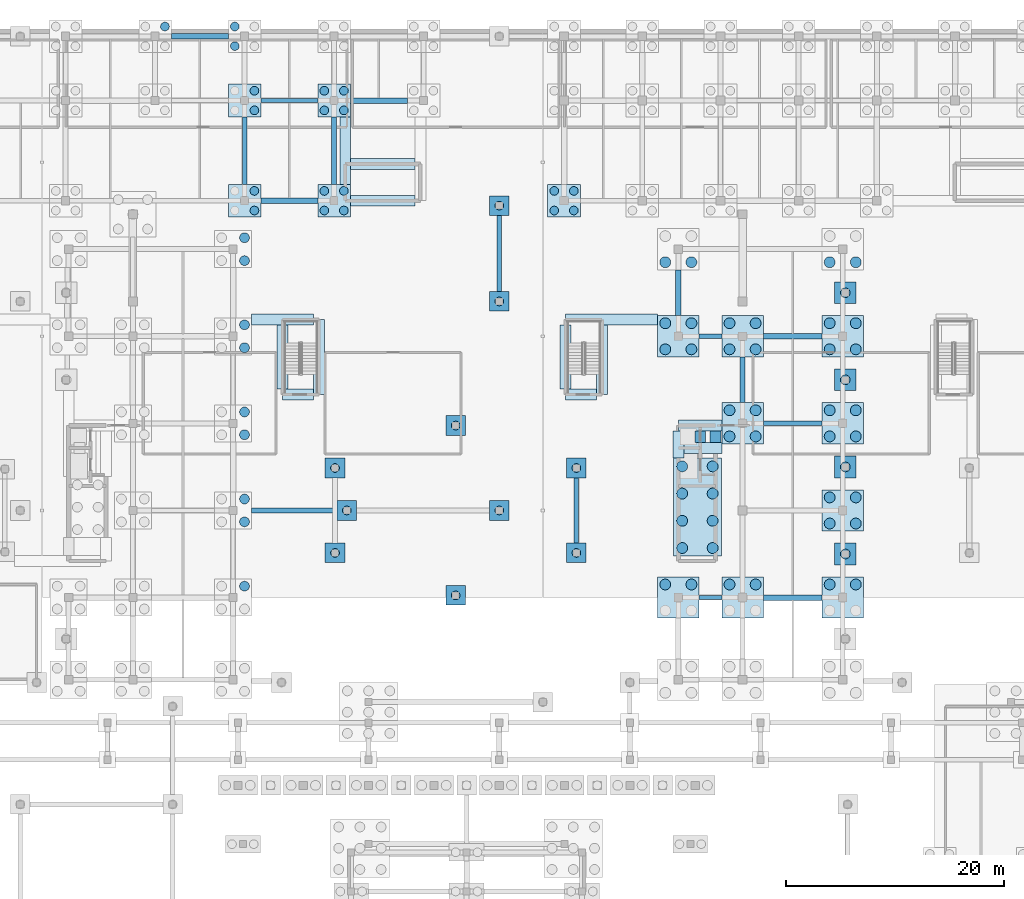
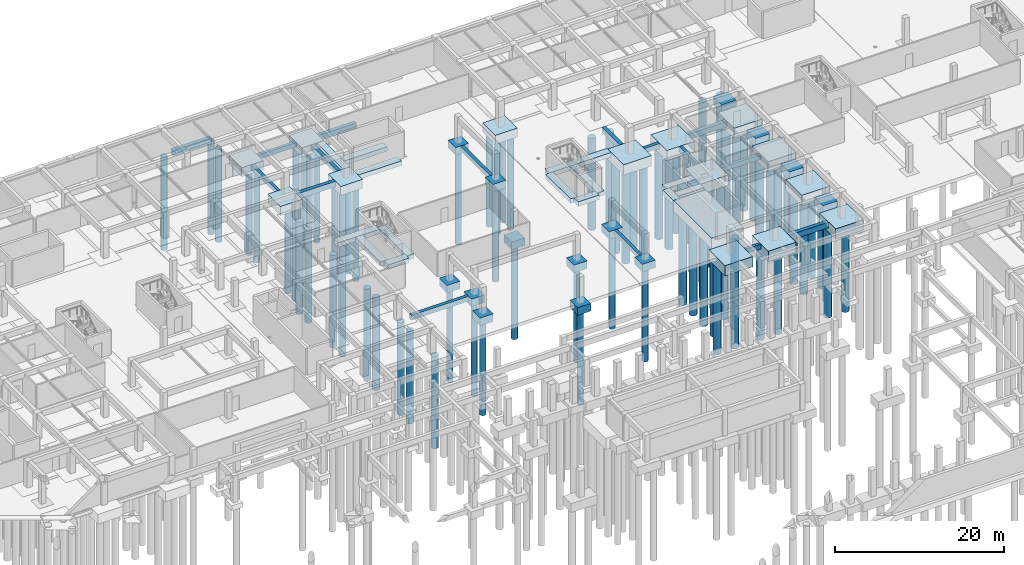
# One storey, part 7 of 35: 84 piles, 61 footings.
"""IFC4 building model written with IfcOpenShell, lengths in metres."""

from ifc_helpers import new_model, si_unit, direction, frame, origin, origin_2d, place, context, subcontext, project, spatial, rectangle, circle, extrude, material, material_profile, profile_set, type_object, element, save


model = new_model("IFC4")

# Units and contexts
model_context = context("Model", 3, precision=1e-05, world=origin(), true_north=direction((0.0, 1.0)))
body_context = subcontext(model_context, "Body", "Model", "MODEL_VIEW")
ifc_project = project(units=[si_unit("LENGTHUNIT", "METRE"), si_unit("AREAUNIT", "SQUARE_METRE"), si_unit("VOLUMEUNIT", "CUBIC_METRE"), si_unit("PLANEANGLEUNIT", "RADIAN"), si_unit("MASSUNIT", "GRAM", prefix="KILO")], contexts=[model_context])

# Site, building, storey
site_placement = place(None, origin())
site = spatial("IfcSite", under=ifc_project, at=site_placement, CompositionType="ELEMENT")
building_placement = place(site_placement, origin())
building = spatial("IfcBuilding", under=site, at=building_placement, Name="Keldmere Railside Commons", CompositionType="ELEMENT")
storey_placement = place(building_placement, frame((0.0, 0.0, -3.840087890625)))
storey = spatial("IfcBuildingStorey", under=building, at=storey_placement, Name="B1", CompositionType="ELEMENT", Elevation=-3.840087890625)

# Piles
ifc_material_1 = material(Name="Concrete H-30 (C30/37)", Category="concrete")
ifc_material_profile_1 = material_profile(ifc_material_1, circle(Radius=0.5, at=origin_2d()), Name="PILE-D1000")
ifc_profile_set_1 = profile_set([ifc_material_profile_1], Name="Concrete H-30 (C30/37)")
pile_type_1 = type_object("IfcPileType", Name="Bored Concrete Pile D1000", PredefinedType="BORED", material=ifc_profile_set_1)
for number, where, z_axis, x_axis, name in (
    (1, (107.60009765625, 68.550048828125, -1.5), (0.0, 0.0, -1.0), (1.0, 0.0, 0.0), "BP-1000 PILE-0013"),
    (2, (107.60009765625, 71.050048828125, -1.5), (0.0, 0.0, -1.0), (1.0, 0.0, 0.0), "BP-1000 PILE-0014"),
    (3, (107.60009765625, 73.550048828125, -1.5), (0.0, 0.0, -1.0), (1.0, 0.0, 0.0), "BP-1000 PILE-0015"),
    (4, (107.60009765625, 76.050048828125, -1.5), (0.0, 0.0, -1.0), (1.0, 0.0, 0.0), "BP-1000 PILE-0016"),
    (5, (104.800048828125, 68.550048828125, -1.5), (0.0, 0.0, -1.0), (1.0, 0.0, 0.0), "BP-1000 PILE-0017"),
    (6, (104.800048828125, 71.050048828125, -1.5), (0.0, 0.0, -1.0), (1.0, 0.0, 0.0), "BP-1000 PILE-0018"),
    (7, (104.800048828125, 73.550048828125, -1.5), (0.0, 0.0, -1.0), (1.0, 0.0, 0.0), "BP-1000 PILE-0019"),
    (8, (104.800048828125, 76.050048828125, -1.5), (0.0, 0.0, -1.0), (1.0, 0.0, 0.0), "BP-1000 PILE-0020"),
):
    element("IfcPile", number, at=place(storey_placement, frame(where, z_axis=z_axis, x_axis=x_axis)), inside=storey, type_object=pile_type_1, Name=name, PredefinedType="BORED", context=body_context, shape_type="SweptSolid", body=[
        extrude(circle(Radius=0.5, at=origin_2d()), origin(), (0.0, 0.0, 1.0), 13.159912109375),
    ])
for number, where, z_axis, x_axis, name in (
    (9, (105.64990234375, 65.199951171875, -1.39990234375), (0.0, 0.0, -1.0), (1.0, 0.0, 0.0), "BP-1000 PILE-0483"),
    (10, (103.25, 65.199951171875, -1.39990234375), (0.0, 0.0, -1.0), (1.0, 0.0, 0.0), "BP-1000 PILE-0484"),
    (11, (103.25, 86.800048828125, -1.39990234375), (0.0, 0.0, -1.0), (1.0, 0.0, 0.0), "BP-1000 PILE-0485"),
    (12, (105.64990234375, 86.800048828125, -1.39990234375), (0.0, 0.0, -1.0), (1.0, 0.0, 0.0), "BP-1000 PILE-0486"),
    (13, (105.64990234375, 89.199951171875, -1.39990234375), (0.0, 0.0, -1.0), (1.0, 0.0, 0.0), "BP-1000 PILE-0487"),
    (14, (103.25, 89.199951171875, -1.39990234375), (0.0, 0.0, -1.0), (1.0, 0.0, 0.0), "BP-1000 PILE-0488"),
    (15, (103.25, 94.800048828125, -1.39990234375), (0.0, 0.0, -1.0), (1.0, 0.0, 0.0), "BP-1000 PILE-0489"),
    (16, (105.64990234375, 94.800048828125, -1.39990234375), (0.0, 0.0, -1.0), (1.0, 0.0, 0.0), "BP-1000 PILE-0490"),
    (17, (111.550048828125, 65.199951171875, -1.39990234375), (0.0, 0.0, -1.0), (1.0, 0.0, 0.0), "BP-1000 PILE-0519"),
    (18, (109.14990234375, 65.199951171875, -1.39990234375), (0.0, 0.0, -1.0), (1.0, 0.0, 0.0), "BP-1000 PILE-0520"),
    (19, (109.14990234375, 78.800048828125, -1.39990234375), (0.0, 0.0, -1.0), (1.0, 0.0, 0.0), "BP-1000 PILE-0521"),
    (20, (111.550048828125, 78.800048828125, -1.39990234375), (0.0, 0.0, -1.0), (1.0, 0.0, 0.0), "BP-1000 PILE-0522"),
    (21, (111.550048828125, 81.199951171875, -1.39990234375), (0.0, 0.0, -1.0), (1.0, 0.0, 0.0), "BP-1000 PILE-0523"),
    (22, (109.14990234375, 81.199951171875, -1.39990234375), (0.0, 0.0, -1.0), (1.0, 0.0, 0.0), "BP-1000 PILE-0524"),
    (23, (109.14990234375, 86.800048828125, -1.39990234375), (0.0, 0.0, -1.0), (1.0, 0.0, 0.0), "BP-1000 PILE-0525"),
    (24, (111.550048828125, 86.800048828125, -1.39990234375), (0.0, 0.0, -1.0), (1.0, 0.0, 0.0), "BP-1000 PILE-0526"),
    (25, (111.550048828125, 89.199951171875, -1.39990234375), (0.0, 0.0, -1.0), (1.0, 0.0, 0.0), "BP-1000 PILE-0527"),
    (26, (109.14990234375, 89.199951171875, -1.39990234375), (0.0, 0.0, -1.0), (1.0, 0.0, 0.0), "BP-1000 PILE-0528"),
    (27, (120.75, 65.199951171875, -1.39990234375), (0.0, 0.0, -1.0), (1.0, 0.0, 0.0), "BP-1000 PILE-0550"),
    (28, (118.35009765625, 65.199951171875, -1.39990234375), (0.0, 0.0, -1.0), (1.0, 0.0, 0.0), "BP-1000 PILE-0551"),
    (29, (118.35009765625, 70.800048828125, -1.39990234375), (0.0, 0.0, -1.0), (1.0, 0.0, 0.0), "BP-1000 PILE-0552"),
    (30, (120.75, 70.800048828125, -1.39990234375), (0.0, 0.0, -1.0), (1.0, 0.0, 0.0), "BP-1000 PILE-0553"),
    (31, (120.75, 73.199951171875, -1.39990234375), (0.0, 0.0, -1.0), (1.0, 0.0, 0.0), "BP-1000 PILE-0554"),
    (32, (118.35009765625, 73.199951171875, -1.39990234375), (0.0, 0.0, -1.0), (1.0, 0.0, 0.0), "BP-1000 PILE-0555"),
    (33, (118.35009765625, 78.800048828125, -1.39990234375), (0.0, 0.0, -1.0), (1.0, 0.0, 0.0), "BP-1000 PILE-0556"),
    (34, (120.75, 78.800048828125, -1.39990234375), (0.0, 0.0, -1.0), (1.0, 0.0, 0.0), "BP-1000 PILE-0557"),
    (35, (120.75, 81.199951171875, -1.39990234375), (0.0, 0.0, -1.0), (1.0, 0.0, 0.0), "BP-1000 PILE-0558"),
    (36, (118.35009765625, 81.199951171875, -1.39990234375), (0.0, 0.0, -1.0), (1.0, 0.0, 0.0), "BP-1000 PILE-0559"),
    (37, (118.35009765625, 86.800048828125, -1.39990234375), (0.0, 0.0, -1.0), (1.0, 0.0, 0.0), "BP-1000 PILE-0560"),
    (38, (120.75, 86.800048828125, -1.39990234375), (0.0, 0.0, -1.0), (1.0, 0.0, 0.0), "BP-1000 PILE-0561"),
    (39, (120.75, 89.199951171875, -1.39990234375), (0.0, 0.0, -1.0), (1.0, 0.0, 0.0), "BP-1000 PILE-0562"),
    (40, (118.35009765625, 89.199951171875, -1.39990234375), (0.0, 0.0, -1.0), (1.0, 0.0, 0.0), "BP-1000 PILE-0563"),
    (41, (118.35009765625, 94.800048828125, -1.39990234375), (0.0, 0.0, -1.0), (1.0, 0.0, 0.0), "BP-1000 PILE-0564"),
    (42, (120.75, 94.800048828125, -1.39990234375), (0.0, 0.0, -1.0), (1.0, 0.0, 0.0), "BP-1000 PILE-0565"),
):
    element("IfcPile", number, at=place(storey_placement, frame(where, z_axis=z_axis, x_axis=x_axis)), inside=storey, type_object=pile_type_1, Name=name, PredefinedType="BORED", context=body_context, shape_type="SweptSolid", body=[
        extrude(circle(Radius=0.5, at=origin_2d()), origin(), (0.0, 0.0, 1.0), 13.260009765625),
    ])
ifc_material_profile_2 = material_profile(ifc_material_1, circle(Radius=0.39990234375, at=origin_2d()), Name="PILE-D800")
ifc_profile_set_2 = profile_set([ifc_material_profile_2], Name="Concrete H-30 (C30/37)")
pile_type_2 = type_object("IfcPileType", Name="Bored Concrete Pile D800", PredefinedType="BORED", material=ifc_profile_set_2)
for number, where, z_axis, x_axis, name in (
    (43, (57.2900390625, 116.449951171875, -1.199951171875), (0.0, 0.0, -1.0), (1.0, 0.0, 0.0), "BP-800 PILE-0289"),
    (44, (65.510009765625, 99.550048828125, -1.199951171875), (0.0, 0.0, -1.0), (1.0, 0.0, 0.0), "BP-800 PILE-0329"),
    (45, (65.510009765625, 101.35009765625, -1.199951171875), (0.0, 0.0, -1.0), (1.0, 0.0, 0.0), "BP-800 PILE-0330"),
    (46, (65.510009765625, 108.75, -1.199951171875), (0.0, 0.0, -1.0), (1.0, 0.0, 0.0), "BP-800 PILE-0333"),
    (47, (65.510009765625, 110.550048828125, -1.199951171875), (0.0, 0.0, -1.0), (1.0, 0.0, 0.0), "BP-800 PILE-0334"),
    (48, (63.7099609375, 114.64990234375, -1.199951171875), (0.0, 0.0, -1.0), (1.0, 0.0, 0.0), "BP-800 PILE-0336"),
    (49, (63.7099609375, 116.449951171875, -1.199951171875), (0.0, 0.0, -1.0), (1.0, 0.0, 0.0), "BP-800 PILE-0339"),
    (50, (71.929931640625, 99.550048828125, -1.199951171875), (0.0, 0.0, -1.0), (1.0, 0.0, 0.0), "BP-800 PILE-0347"),
    (51, (73.72998046875, 99.550048828125, -1.199951171875), (0.0, 0.0, -1.0), (1.0, 0.0, 0.0), "BP-800 PILE-0348"),
    (52, (73.72998046875, 101.35009765625, -1.199951171875), (0.0, 0.0, -1.0), (1.0, 0.0, 0.0), "BP-800 PILE-0349"),
    (53, (71.929931640625, 101.35009765625, -1.199951171875), (0.0, 0.0, -1.0), (1.0, 0.0, 0.0), "BP-800 PILE-0350"),
    (54, (71.929931640625, 108.75, -1.199951171875), (0.0, 0.0, -1.0), (1.0, 0.0, 0.0), "BP-800 PILE-0351"),
    (55, (73.72998046875, 108.75, -1.199951171875), (0.0, 0.0, -1.0), (1.0, 0.0, 0.0), "BP-800 PILE-0352"),
    (56, (73.72998046875, 110.550048828125, -1.199951171875), (0.0, 0.0, -1.0), (1.0, 0.0, 0.0), "BP-800 PILE-0353"),
    (57, (71.929931640625, 110.550048828125, -1.199951171875), (0.0, 0.0, -1.0), (1.0, 0.0, 0.0), "BP-800 PILE-0354"),
):
    element("IfcPile", number, at=place(storey_placement, frame(where, z_axis=z_axis, x_axis=x_axis)), inside=storey, type_object=pile_type_2, Name=name, PredefinedType="BORED", context=body_context, shape_type="SweptSolid", body=[
        extrude(circle(Radius=0.39990234375, at=origin_2d()), origin(), (0.0, 0.0, 1.0), 13.4599609375),
    ])
for number, where, z_axis, x_axis, name in (
    (58, (72.9150390625, 68.10009765625, -1.0), (0.0, 0.0, -1.0), (1.0, 0.0, 0.0), "BP-800 PILE-0359"),
    (59, (72.9150390625, 75.89990234375, -1.0), (0.0, 0.0, -1.0), (1.0, 0.0, 0.0), "BP-800 PILE-0360"),
    (60, (74.0, 72.0, -1.0), (0.0, 0.0, -1.0), (1.0, 0.0, 0.0), "BP-800 PILE-0363"),
    (61, (84.0, 64.199951171875, -1.0), (0.0, 0.0, -1.0), (1.0, 0.0, 0.0), "BP-800 PILE-0404"),
    (62, (84.0, 79.800048828125, -1.0), (0.0, 0.0, -1.0), (1.0, 0.0, 0.0), "BP-800 PILE-0405"),
    (63, (88.0, 72.0, -1.0), (0.0, 0.0, -1.0), (1.0, 0.0, 0.0), "BP-800 PILE-0418"),
    (64, (88.0, 91.199951171875, -1.0), (0.0, 0.0, -1.0), (1.0, 0.0, 0.0), "BP-800 PILE-0419"),
    (65, (88.0, 100.0, -1.0), (0.0, 0.0, -1.0), (1.0, 0.0, 0.0), "BP-800 PILE-0420"),
):
    element("IfcPile", number, at=place(storey_placement, frame(where, z_axis=z_axis, x_axis=x_axis)), inside=storey, type_object=pile_type_2, Name=name, PredefinedType="BORED", context=body_context, shape_type="SweptSolid", body=[
        extrude(circle(Radius=0.39990234375, at=origin_2d()), origin(), (0.0, 0.0, 1.0), 13.659912109375),
    ])
for number, where, z_axis, x_axis, name in (
    (66, (93.050048828125, 99.550048828125, -1.199951171875), (0.0, 0.0, -1.0), (1.0, 0.0, 0.0), "BP-800 PILE-0425"),
    (67, (94.85009765625, 99.550048828125, -1.199951171875), (0.0, 0.0, -1.0), (1.0, 0.0, 0.0), "BP-800 PILE-0426"),
    (68, (94.85009765625, 101.35009765625, -1.199951171875), (0.0, 0.0, -1.0), (1.0, 0.0, 0.0), "BP-800 PILE-0427"),
    (69, (93.050048828125, 101.35009765625, -1.199951171875), (0.0, 0.0, -1.0), (1.0, 0.0, 0.0), "BP-800 PILE-0428"),
):
    element("IfcPile", number, at=place(storey_placement, frame(where, z_axis=z_axis, x_axis=x_axis)), inside=storey, type_object=pile_type_2, Name=name, PredefinedType="BORED", context=body_context, shape_type="SweptSolid", body=[
        extrude(circle(Radius=0.39990234375, at=origin_2d()), origin(), (0.0, 0.0, 1.0), 13.4599609375),
    ])
for number, where, z_axis, x_axis, name in (
    (70, (95.0849609375, 68.10009765625, -1.0), (0.0, 0.0, -1.0), (1.0, 0.0, 0.0), "BP-800 PILE-0450"),
    (71, (95.0849609375, 75.89990234375, -1.0), (0.0, 0.0, -1.0), (1.0, 0.0, 0.0), "BP-800 PILE-0451"),
):
    element("IfcPile", number, at=place(storey_placement, frame(where, z_axis=z_axis, x_axis=x_axis)), inside=storey, type_object=pile_type_2, Name=name, PredefinedType="BORED", context=body_context, shape_type="SweptSolid", body=[
        extrude(circle(Radius=0.39990234375, at=origin_2d()), origin(), (0.0, 0.0, 1.0), 13.659912109375),
    ])
ifc_material_profile_3 = material_profile(ifc_material_1, circle(Radius=0.449951171875, at=origin_2d()), Name="PILE-D900")
ifc_profile_set_3 = profile_set([ifc_material_profile_3], Name="Concrete H-30 (C30/37)")
pile_type_3 = type_object("IfcPileType", Name="Bored Concrete Pile D900", PredefinedType="BORED", material=ifc_profile_set_3)
for number, where, z_axis, x_axis, name in (
    (72, (64.60009765625, 65.050048828125, -1.2998046875), (0.0, 0.0, -1.0), (1.0, 0.0, 0.0), "BP-900 PILE-0302"),
    (73, (64.60009765625, 70.949951171875, -1.2998046875), (0.0, 0.0, -1.0), (1.0, 0.0, 0.0), "BP-900 PILE-0305"),
    (74, (64.60009765625, 73.050048828125, -1.2998046875), (0.0, 0.0, -1.0), (1.0, 0.0, 0.0), "BP-900 PILE-0306"),
    (75, (64.60009765625, 78.949951171875, -1.2998046875), (0.0, 0.0, -1.0), (1.0, 0.0, 0.0), "BP-900 PILE-0309"),
    (76, (64.60009765625, 81.050048828125, -1.2998046875), (0.0, 0.0, -1.0), (1.0, 0.0, 0.0), "BP-900 PILE-0310"),
    (77, (64.60009765625, 86.949951171875, -1.2998046875), (0.0, 0.0, -1.0), (1.0, 0.0, 0.0), "BP-900 PILE-0313"),
    (78, (64.60009765625, 89.050048828125, -1.2998046875), (0.0, 0.0, -1.0), (1.0, 0.0, 0.0), "BP-900 PILE-0314"),
    (79, (64.60009765625, 94.949951171875, -1.2998046875), (0.0, 0.0, -1.0), (1.0, 0.0, 0.0), "BP-900 PILE-0317"),
    (80, (64.60009765625, 97.050048828125, -1.2998046875), (0.0, 0.0, -1.0), (1.0, 0.0, 0.0), "BP-900 PILE-0318"),
):
    element("IfcPile", number, at=place(storey_placement, frame(where, z_axis=z_axis, x_axis=x_axis)), inside=storey, type_object=pile_type_3, Name=name, PredefinedType="BORED", context=body_context, shape_type="SweptSolid", body=[
        extrude(circle(Radius=0.449951171875, at=origin_2d()), origin(), (0.0, 0.0, 1.0), 13.360107421875),
    ])
for number, where, z_axis, x_axis, name in (
    (81, (119.780029296875, 68.0, -1.099853515625), (0.0, 0.0, -1.0), (1.0, 0.0, 0.0), "BP-900 PILE-0569"),
    (82, (119.780029296875, 76.0, -1.099853515625), (0.0, 0.0, -1.0), (1.0, 0.0, 0.0), "BP-900 PILE-0570"),
    (83, (119.780029296875, 84.0, -1.099853515625), (0.0, 0.0, -1.0), (1.0, 0.0, 0.0), "BP-900 PILE-0571"),
    (84, (119.780029296875, 92.0, -1.099853515625), (0.0, 0.0, -1.0), (1.0, 0.0, 0.0), "BP-900 PILE-0572"),
):
    element("IfcPile", number, at=place(storey_placement, frame(where, z_axis=z_axis, x_axis=x_axis)), inside=storey, type_object=pile_type_3, Name=name, PredefinedType="BORED", context=body_context, shape_type="SweptSolid", body=[
        extrude(circle(Radius=0.449951171875, at=origin_2d()), origin(), (0.0, 0.0, 1.0), 13.56005859375),
    ])

# Footings
ifc_material_2 = material(Name="Concrete H-40 (C40/50)", Category="concrete")
footing_type_1 = type_object("IfcFootingType", Name="Eight-Pile Core Mat Cap 9000x4400x1600", PredefinedType="PILE_CAP", material=ifc_material_2)
footing_1_placement = place(storey_placement, frame((106.199951171875, 72.300048828125, -1.599853515625), z_axis=(0.0, 0.0, 1.0), x_axis=(0.0, 1.0, 0.0)))
element("IfcFooting", 85, at=footing_1_placement, inside=storey, type_object=footing_type_1, Name="PC-13 CAP-CORE-B1", PredefinedType="PILE_CAP", context=body_context, shape_type="SweptSolid", body=[
    extrude(rectangle(XDim=9.0, YDim=4.39990234375, at=origin_2d()), origin(), (0.0, 0.0, 1.0), 1.60009765625),
])
footing_type_2 = type_object("IfcFootingType", Name="Four-Pile Cap 3000x3000x1300", PredefinedType="PILE_CAP", material=ifc_material_2)
for number, where, z_axis, x_axis, name in (
    (86, (64.610107421875, 100.449951171875, -1.2998046875), (0.0, 0.0, 1.0), (1.0, 0.0, 0.0), "PC-04 FTG-134"),
    (87, (64.610107421875, 109.64990234375, -1.2998046875), (0.0, 0.0, 1.0), (1.0, 0.0, 0.0), "PC-04 FTG-135"),
    (88, (72.830078125, 100.449951171875, -1.2998046875), (0.0, 0.0, 1.0), (1.0, 0.0, 0.0), "PC-04 FTG-142"),
    (89, (72.830078125, 109.64990234375, -1.2998046875), (0.0, 0.0, 1.0), (1.0, 0.0, 0.0), "PC-04 FTG-143"),
    (90, (93.949951171875, 100.449951171875, -1.2998046875), (0.0, 0.0, 1.0), (1.0, 0.0, 0.0), "PC-04 FTG-181"),
):
    element("IfcFooting", number, at=place(storey_placement, frame(where, z_axis=z_axis, x_axis=x_axis)), inside=storey, type_object=footing_type_2, Name=name, PredefinedType="PILE_CAP", context=body_context, shape_type="SweptSolid", body=[
        extrude(rectangle(XDim=3.0, YDim=3.0, at=origin_2d()), origin(), (0.0, 0.0, 1.0), 1.300048828125),
    ])
footing_type_3 = type_object("IfcFootingType", Name="Four-Pile D1000 Cap 3800x3800x1500", PredefinedType="PILE_CAP", material=ifc_material_2)
for number, where, z_axis, x_axis, name in (
    (91, (104.449951171875, 64.0, -1.5), (0.0, 0.0, 1.0), (1.0, 0.0, 0.0), "PC-06 FTG-204"),
    (92, (104.449951171875, 88.0, -1.5), (0.0, 0.0, 1.0), (1.0, 0.0, 0.0), "PC-06 FTG-205"),
    (93, (110.35009765625, 64.0, -1.5), (0.0, 0.0, 1.0), (1.0, 0.0, 0.0), "PC-06 FTG-215"),
    (94, (110.35009765625, 80.0, -1.5), (0.0, 0.0, 1.0), (1.0, 0.0, 0.0), "PC-06 FTG-216"),
    (95, (110.35009765625, 88.0, -1.5), (0.0, 0.0, 1.0), (1.0, 0.0, 0.0), "PC-06 FTG-217"),
    (96, (119.550048828125, 64.0, -1.5), (0.0, 0.0, 1.0), (1.0, 0.0, 0.0), "PC-06 FTG-227"),
    (97, (119.550048828125, 72.0, -1.5), (0.0, 0.0, 1.0), (1.0, 0.0, 0.0), "PC-06 FTG-228"),
    (98, (119.550048828125, 80.0, -1.5), (0.0, 0.0, 1.0), (1.0, 0.0, 0.0), "PC-06 FTG-229"),
    (99, (119.550048828125, 88.0, -1.5), (0.0, 0.0, 1.0), (1.0, 0.0, 0.0), "PC-06 FTG-230"),
):
    element("IfcFooting", number, at=place(storey_placement, frame(where, z_axis=z_axis, x_axis=x_axis)), inside=storey, type_object=footing_type_3, Name=name, PredefinedType="PILE_CAP", context=body_context, shape_type="SweptSolid", body=[
        extrude(rectangle(XDim=3.800048828125, YDim=3.800048828125, at=origin_2d()), origin(), (0.0, 0.0, 1.0), 1.5),
    ])
footing_type_4 = type_object("IfcFootingType", Name="Perimeter Ground Tie Beam 400x650", PredefinedType="FOOTING_BEAM", material=ifc_material_2)
footing_2_placement = place(storey_placement, frame((64.610107421875, 105.050048828125, -0.64990234375), z_axis=(0.0, 0.0, 1.0), x_axis=(0.0, 1.0, 0.0)))
element("IfcFooting", 100, at=footing_2_placement, inside=storey, type_object=footing_type_4, Name="GB-03 GB-128", PredefinedType="FOOTING_BEAM", context=body_context, shape_type="SweptSolid", body=[
    extrude(rectangle(XDim=6.199951171875, YDim=0.39990234375, at=origin_2d()), origin(), (0.0, 0.0, 1.0), 0.64990234375),
])
footing_3_placement = place(storey_placement, frame((68.719970703125, 109.64990234375, -0.64990234375), z_axis=(0.0, 0.0, 1.0), x_axis=(1.0, 0.0, 0.0)))
element("IfcFooting", 101, at=footing_3_placement, inside=storey, type_object=footing_type_4, Name="GB-03 GB-131", PredefinedType="FOOTING_BEAM", context=body_context, shape_type="SweptSolid", body=[
    extrude(rectangle(XDim=5.219970703125, YDim=0.39990234375, at=origin_2d()), origin(), (0.0, 0.0, 1.0), 0.64990234375),
])
footing_4_placement = place(storey_placement, frame((95.0849609375, 72.0, -0.64990234375), z_axis=(0.0, 0.0, 1.0), x_axis=(0.0, 1.0, 0.0)))
element("IfcFooting", 102, at=footing_4_placement, inside=storey, type_object=footing_type_4, Name="GB-03 GB-155", PredefinedType="FOOTING_BEAM", context=body_context, shape_type="SweptSolid", body=[
    extrude(rectangle(XDim=6.0, YDim=0.39990234375, at=origin_2d()), origin(), (0.0, 0.0, 1.0), 0.64990234375),
])
footing_5_placement = place(storey_placement, frame((107.39990234375, 64.0, -0.64990234375), z_axis=(0.0, 0.0, 1.0), x_axis=(1.0, 0.0, 0.0)))
element("IfcFooting", 103, at=footing_5_placement, inside=storey, type_object=footing_type_4, Name="GB-03 GB-167", PredefinedType="FOOTING_BEAM", context=body_context, shape_type="SweptSolid", body=[
    extrude(rectangle(XDim=2.10009765625, YDim=0.39990234375, at=origin_2d()), origin(), (0.0, 0.0, 1.0), 0.64990234375),
])
footing_6_placement = place(storey_placement, frame((114.949951171875, 80.0, -0.64990234375), z_axis=(0.0, 0.0, 1.0), x_axis=(1.0, 0.0, 0.0)))
element("IfcFooting", 104, at=footing_6_placement, inside=storey, type_object=footing_type_4, Name="GB-03 GB-179", PredefinedType="FOOTING_BEAM", context=body_context, shape_type="SweptSolid", body=[
    extrude(rectangle(XDim=5.39990234375, YDim=0.39990234375, at=origin_2d()), origin(), (0.0, 0.0, 1.0), 0.64990234375),
])
footing_type_5 = type_object("IfcFootingType", Name="Primary Ground Tie Beam 500x800", PredefinedType="FOOTING_BEAM", material=ifc_material_2)
for number, where, z_axis, x_axis, name in (
    (105, (60.5, 115.550048828125, -0.7998046875), (0.0, 0.0, 1.0), (1.0, 0.0, 0.0), "GB-01 GB-117"),
    (106, (68.719970703125, 100.449951171875, -0.7998046875), (0.0, 0.0, 1.0), (1.0, 0.0, 0.0), "GB-01 GB-129"),
    (107, (76.93994140625, 109.64990234375, -0.7998046875), (0.0, 0.0, 1.0), (1.0, 0.0, 0.0), "GB-01 GB-135"),
):
    element("IfcFooting", number, at=place(storey_placement, frame(where, z_axis=z_axis, x_axis=x_axis)), inside=storey, type_object=footing_type_5, Name=name, PredefinedType="FOOTING_BEAM", context=body_context, shape_type="SweptSolid", body=[
        extrude(rectangle(XDim=5.219970703125, YDim=0.5, at=origin_2d()), origin(), (0.0, 0.0, 1.0), 0.800048828125),
    ])
footing_7_placement = place(storey_placement, frame((104.449951171875, 92.0, -0.7998046875), z_axis=(0.0, 0.0, 1.0), x_axis=(0.0, 1.0, 0.0)))
element("IfcFooting", 108, at=footing_7_placement, inside=storey, type_object=footing_type_5, Name="GB-01 GB-168", PredefinedType="FOOTING_BEAM", context=body_context, shape_type="SweptSolid", body=[
    extrude(rectangle(XDim=4.199951171875, YDim=0.5, at=origin_2d()), origin(), (0.0, 0.0, 1.0), 0.800048828125),
])
for number, where, z_axis, x_axis, name in (
    (109, (114.949951171875, 64.0, -0.7998046875), (0.0, 0.0, 1.0), (1.0, 0.0, 0.0), "GB-01 GB-177"),
    (110, (114.949951171875, 88.0, -0.7998046875), (0.0, 0.0, 1.0), (1.0, 0.0, 0.0), "GB-01 GB-180"),
):
    element("IfcFooting", number, at=place(storey_placement, frame(where, z_axis=z_axis, x_axis=x_axis)), inside=storey, type_object=footing_type_5, Name=name, PredefinedType="FOOTING_BEAM", context=body_context, shape_type="SweptSolid", body=[
        extrude(rectangle(XDim=5.39990234375, YDim=0.5, at=origin_2d()), origin(), (0.0, 0.0, 1.0), 0.800048828125),
    ])
footing_type_6 = type_object("IfcFootingType", Name="Ramp Wall Strip Footing 1000x650", PredefinedType="STRIP_FOOTING", material=ifc_material_2)
footing_8_placement = place(storey_placement, frame((107.8701171875, 78.77490234375, -0.64990234375), z_axis=(0.0, 0.0, 1.0), x_axis=(0.0, 1.0, 0.0)))
element("IfcFooting", 111, at=footing_8_placement, inside=storey, type_object=footing_type_6, Name="SF-02 WSF-037", PredefinedType="STRIP_FOOTING", context=body_context, shape_type="SweptSolid", body=[
    extrude(rectangle(XDim=1.050048828125, YDim=1.0, at=origin_2d()), origin(), (0.0, 0.0, 1.0), 0.64990234375),
])
footing_9_placement = place(storey_placement, frame((106.705078125, 77.75, -0.64990234375), z_axis=(0.0, 0.0, 1.0), x_axis=(1.0, 0.0, 0.0)))
element("IfcFooting", 112, at=footing_9_placement, inside=storey, type_object=footing_type_6, Name="SF-02 WSF-038", PredefinedType="STRIP_FOOTING", context=body_context, shape_type="SweptSolid", body=[
    extrude(rectangle(XDim=3.489990234375, YDim=1.0, at=origin_2d()), origin(), (0.0, 0.0, 1.0), 0.64990234375),
])
footing_10_placement = place(storey_placement, frame((106.455078125, 79.800048828125, -0.64990234375), z_axis=(0.0, 0.0, 1.0), x_axis=(1.0, 0.0, 0.0)))
element("IfcFooting", 113, at=footing_10_placement, inside=storey, type_object=footing_type_6, Name="SF-02 WSF-039", PredefinedType="STRIP_FOOTING", context=body_context, shape_type="SweptSolid", body=[
    extrude(rectangle(XDim=3.989990234375, YDim=1.0, at=origin_2d()), origin(), (0.0, 0.0, 1.0), 0.64990234375),
])
footing_11_placement = place(storey_placement, frame((104.4599609375, 78.050048828125, -0.64990234375), z_axis=(0.0, 0.0, 1.0), x_axis=(0.0, 1.0, 0.0)))
element("IfcFooting", 114, at=footing_11_placement, inside=storey, type_object=footing_type_6, Name="SF-02 WSF-040", PredefinedType="STRIP_FOOTING", context=body_context, shape_type="SweptSolid", body=[
    extrude(rectangle(XDim=2.5, YDim=1.0, at=origin_2d()), origin(), (0.0, 0.0, 1.0), 0.64990234375),
])
footing_12_placement = place(storey_placement, frame((77.300048828125, 103.820068359375, -0.64990234375), z_axis=(0.0, 0.0, 1.0), x_axis=(1.0, 0.0, 0.0)))
element("IfcFooting", 115, at=footing_12_placement, inside=storey, type_object=footing_type_6, Name="SF-02 WSF-042", PredefinedType="STRIP_FOOTING", context=body_context, shape_type="SweptSolid", body=[
    extrude(rectangle(XDim=5.89990234375, YDim=1.0, at=origin_2d()), origin(), (0.0, 0.0, 1.0), 0.64990234375),
])
footing_13_placement = place(storey_placement, frame((77.2900390625, 100.449951171875, -0.64990234375), z_axis=(0.0, 0.0, 1.0), x_axis=(1.0, 0.0, 0.0)))
element("IfcFooting", 116, at=footing_13_placement, inside=storey, type_object=footing_type_6, Name="SF-02 WSF-043", PredefinedType="STRIP_FOOTING", context=body_context, shape_type="SweptSolid", body=[
    extrude(rectangle(XDim=5.919921875, YDim=1.0, at=origin_2d()), origin(), (0.0, 0.0, 1.0), 0.64990234375),
])
footing_14_placement = place(storey_placement, frame((73.85009765625, 105.050048828125, -0.64990234375), z_axis=(0.0, 0.0, 1.0), x_axis=(0.0, 1.0, 0.0)))
element("IfcFooting", 117, at=footing_14_placement, inside=storey, type_object=footing_type_6, Name="SF-02 WSF-044", PredefinedType="STRIP_FOOTING", context=body_context, shape_type="SweptSolid", body=[
    extrude(rectangle(XDim=6.199951171875, YDim=1.0, at=origin_2d()), origin(), (0.0, 0.0, 1.0), 0.64990234375),
])
footing_15_placement = place(storey_placement, frame((106.4599609375, 78.77490234375, -0.64990234375), z_axis=(0.0, 0.0, 1.0), x_axis=(0.0, 1.0, 0.0)))
element("IfcFooting", 118, at=footing_15_placement, inside=storey, type_object=footing_type_6, Name="SF-02 WSF-064", PredefinedType="STRIP_FOOTING", context=body_context, shape_type="SweptSolid", body=[
    extrude(rectangle(XDim=1.050048828125, YDim=1.0, at=origin_2d()), origin(), (0.0, 0.0, 1.0), 0.64990234375),
])
footing_16_placement = place(storey_placement, frame((71.449951171875, 86.10009765625, -0.64990234375), z_axis=(0.0, 0.0, 1.0), x_axis=(0.0, 1.0, 0.0)))
element("IfcFooting", 119, at=footing_16_placement, inside=storey, type_object=footing_type_6, Name="SF-02 WSF-079", PredefinedType="STRIP_FOOTING", context=body_context, shape_type="SweptSolid", body=[
    extrude(rectangle(XDim=6.89990234375, YDim=1.0, at=origin_2d()), origin(), (0.0, 0.0, 1.0), 0.64990234375),
])
footing_17_placement = place(storey_placement, frame((68.10009765625, 89.550048828125, -0.64990234375), z_axis=(0.0, 0.0, 1.0), x_axis=(1.0, 0.0, 0.0)))
element("IfcFooting", 120, at=footing_17_placement, inside=storey, type_object=footing_type_6, Name="SF-02 WSF-080", PredefinedType="STRIP_FOOTING", context=body_context, shape_type="SweptSolid", body=[
    extrude(rectangle(XDim=5.699951171875, YDim=1.0, at=origin_2d()), origin(), (0.0, 0.0, 1.0), 0.64990234375),
])
footing_18_placement = place(storey_placement, frame((69.52490234375, 82.64990234375, -0.64990234375), z_axis=(0.0, 0.0, 1.0), x_axis=(1.0, 0.0, 0.0)))
element("IfcFooting", 121, at=footing_18_placement, inside=storey, type_object=footing_type_6, Name="SF-02 WSF-081", PredefinedType="STRIP_FOOTING", context=body_context, shape_type="SweptSolid", body=[
    extrude(rectangle(XDim=2.85009765625, YDim=1.0, at=origin_2d()), origin(), (0.0, 0.0, 1.0), 0.64990234375),
])
footing_19_placement = place(storey_placement, frame((68.10009765625, 86.10009765625, -0.64990234375), z_axis=(0.0, 0.0, 1.0), x_axis=(0.0, 1.0, 0.0)))
element("IfcFooting", 122, at=footing_19_placement, inside=storey, type_object=footing_type_6, Name="SF-02 WSF-082", PredefinedType="STRIP_FOOTING", context=body_context, shape_type="SweptSolid", body=[
    extrude(rectangle(XDim=5.89990234375, YDim=1.0, at=origin_2d()), origin(), (0.0, 0.0, 1.0), 0.64990234375),
])
footing_20_placement = place(storey_placement, frame((97.449951171875, 85.85009765625, -0.64990234375), z_axis=(0.0, 0.0, 1.0), x_axis=(0.0, 1.0, 0.0)))
element("IfcFooting", 123, at=footing_20_placement, inside=storey, type_object=footing_type_6, Name="SF-02 WSF-083", PredefinedType="STRIP_FOOTING", context=body_context, shape_type="SweptSolid", body=[
    extrude(rectangle(XDim=6.39990234375, YDim=1.0, at=origin_2d()), origin(), (0.0, 0.0, 1.0), 0.64990234375),
])
footing_21_placement = place(storey_placement, frame((98.324951171875, 89.550048828125, -0.64990234375), z_axis=(0.0, 0.0, 1.0), x_axis=(1.0, 0.0, 0.0)))
element("IfcFooting", 124, at=footing_21_placement, inside=storey, type_object=footing_type_6, Name="SF-02 WSF-084", PredefinedType="STRIP_FOOTING", context=body_context, shape_type="SweptSolid", body=[
    extrude(rectangle(XDim=8.449951171875, YDim=1.0, at=origin_2d()), origin(), (0.0, 0.0, 1.0), 0.64990234375),
])
footing_22_placement = place(storey_placement, frame((95.52490234375, 82.64990234375, -0.64990234375), z_axis=(0.0, 0.0, 1.0), x_axis=(1.0, 0.0, 0.0)))
element("IfcFooting", 125, at=footing_22_placement, inside=storey, type_object=footing_type_6, Name="SF-02 WSF-085", PredefinedType="STRIP_FOOTING", context=body_context, shape_type="SweptSolid", body=[
    extrude(rectangle(XDim=2.85009765625, YDim=1.0, at=origin_2d()), origin(), (0.0, 0.0, 1.0), 0.64990234375),
])
footing_23_placement = place(storey_placement, frame((94.10009765625, 86.10009765625, -0.64990234375), z_axis=(0.0, 0.0, 1.0), x_axis=(0.0, 1.0, 0.0)))
element("IfcFooting", 126, at=footing_23_placement, inside=storey, type_object=footing_type_6, Name="SF-02 WSF-086", PredefinedType="STRIP_FOOTING", context=body_context, shape_type="SweptSolid", body=[
    extrude(rectangle(XDim=5.89990234375, YDim=1.0, at=origin_2d()), origin(), (0.0, 0.0, 1.0), 0.64990234375),
])
footing_type_7 = type_object("IfcFootingType", Name="Secondary Ground Tie Beam 450x700", PredefinedType="FOOTING_BEAM", material=ifc_material_2)
footing_24_placement = place(storey_placement, frame((69.175048828125, 72.0, -0.69970703125), z_axis=(0.0, 0.0, 1.0), x_axis=(1.0, 0.0, 0.0)))
element("IfcFooting", 127, at=footing_24_placement, inside=storey, type_object=footing_type_7, Name="GB-02 GB-124", PredefinedType="FOOTING_BEAM", context=body_context, shape_type="SweptSolid", body=[
    extrude(rectangle(XDim=7.85009765625, YDim=0.449951171875, at=origin_2d()), origin(), (0.0, 0.0, 1.0), 0.699951171875),
])
footing_25_placement = place(storey_placement, frame((72.830078125, 105.050048828125, -0.69970703125), z_axis=(0.0, 0.0, 1.0), x_axis=(0.0, 1.0, 0.0)))
element("IfcFooting", 128, at=footing_25_placement, inside=storey, type_object=footing_type_7, Name="GB-02 GB-133", PredefinedType="FOOTING_BEAM", context=body_context, shape_type="SweptSolid", body=[
    extrude(rectangle(XDim=6.199951171875, YDim=0.449951171875, at=origin_2d()), origin(), (0.0, 0.0, 1.0), 0.699951171875),
])
footing_26_placement = place(storey_placement, frame((88.0, 95.60009765625, -0.69970703125), z_axis=(0.0, 0.0, 1.0), x_axis=(0.0, 1.0, 0.0)))
element("IfcFooting", 129, at=footing_26_placement, inside=storey, type_object=footing_type_7, Name="GB-02 GB-148", PredefinedType="FOOTING_BEAM", context=body_context, shape_type="SweptSolid", body=[
    extrude(rectangle(XDim=7.0, YDim=0.449951171875, at=origin_2d()), origin(), (0.0, 0.0, 1.0), 0.699951171875),
])
footing_27_placement = place(storey_placement, frame((107.39990234375, 88.0, -0.69970703125), z_axis=(0.0, 0.0, 1.0), x_axis=(1.0, 0.0, 0.0)))
element("IfcFooting", 130, at=footing_27_placement, inside=storey, type_object=footing_type_7, Name="GB-02 GB-169", PredefinedType="FOOTING_BEAM", context=body_context, shape_type="SweptSolid", body=[
    extrude(rectangle(XDim=2.10009765625, YDim=0.449951171875, at=origin_2d()), origin(), (0.0, 0.0, 1.0), 0.699951171875),
])
footing_28_placement = place(storey_placement, frame((110.35009765625, 84.0, -0.69970703125), z_axis=(0.0, 0.0, 1.0), x_axis=(0.0, 1.0, 0.0)))
element("IfcFooting", 131, at=footing_28_placement, inside=storey, type_object=footing_type_7, Name="GB-02 GB-178", PredefinedType="FOOTING_BEAM", context=body_context, shape_type="SweptSolid", body=[
    extrude(rectangle(XDim=4.199951171875, YDim=0.449951171875, at=origin_2d()), origin(), (0.0, 0.0, 1.0), 0.699951171875),
])
footing_type_8 = type_object("IfcFootingType", Name="Single-Pile Cap 1800x1800x1100", PredefinedType="PILE_CAP", material=ifc_material_2)
for number, where, z_axis, x_axis, name in (
    (132, (72.9150390625, 68.10009765625, -1.099853515625), (0.0, 0.0, 1.0), (1.0, 0.0, 0.0), "PC-01 FTG-145"),
    (133, (72.9150390625, 75.89990234375, -1.099853515625), (0.0, 0.0, 1.0), (1.0, 0.0, 0.0), "PC-01 FTG-146"),
    (134, (74.0, 72.0, -1.099853515625), (0.0, 0.0, 1.0), (1.0, 0.0, 0.0), "PC-01 FTG-149"),
    (135, (84.0, 64.199951171875, -1.099853515625), (0.0, 0.0, 1.0), (1.0, 0.0, 0.0), "PC-01 FTG-163"),
    (136, (84.0, 79.800048828125, -1.099853515625), (0.0, 0.0, 1.0), (1.0, 0.0, 0.0), "PC-01 FTG-164"),
    (137, (88.0, 72.0, -1.099853515625), (0.0, 0.0, 1.0), (1.0, 0.0, 0.0), "PC-01 FTG-174"),
    (138, (88.0, 91.199951171875, -1.099853515625), (0.0, 0.0, 1.0), (1.0, 0.0, 0.0), "PC-01 FTG-175"),
    (139, (88.0, 100.0, -1.099853515625), (0.0, 0.0, 1.0), (1.0, 0.0, 0.0), "PC-01 FTG-176"),
    (140, (95.0849609375, 68.10009765625, -1.099853515625), (0.0, 0.0, 1.0), (1.0, 0.0, 0.0), "PC-01 FTG-187"),
    (141, (95.0849609375, 75.89990234375, -1.099853515625), (0.0, 0.0, 1.0), (1.0, 0.0, 0.0), "PC-01 FTG-188"),
):
    element("IfcFooting", number, at=place(storey_placement, frame(where, z_axis=z_axis, x_axis=x_axis)), inside=storey, type_object=footing_type_8, Name=name, PredefinedType="PILE_CAP", context=body_context, shape_type="SweptSolid", body=[
        extrude(rectangle(XDim=1.800048828125, YDim=1.800048828125, at=origin_2d()), origin(), (0.0, 0.0, 1.0), 1.10009765625),
    ])
footing_type_9 = type_object("IfcFootingType", Name="Single-Pile Cap 2000x2000x1200", PredefinedType="PILE_CAP", material=ifc_material_2)
for number, where, z_axis, x_axis, name in (
    (142, (119.780029296875, 68.0, -1.19970703125), (0.0, 0.0, 1.0), (1.0, 0.0, 0.0), "PC-02 FTG-233"),
    (143, (119.780029296875, 76.0, -1.19970703125), (0.0, 0.0, 1.0), (1.0, 0.0, 0.0), "PC-02 FTG-234"),
    (144, (119.780029296875, 84.0, -1.19970703125), (0.0, 0.0, 1.0), (1.0, 0.0, 0.0), "PC-02 FTG-235"),
    (145, (119.780029296875, 92.0, -1.19970703125), (0.0, 0.0, 1.0), (1.0, 0.0, 0.0), "PC-02 FTG-236"),
):
    element("IfcFooting", number, at=place(storey_placement, frame(where, z_axis=z_axis, x_axis=x_axis)), inside=storey, type_object=footing_type_9, Name=name, PredefinedType="PILE_CAP", context=body_context, shape_type="SweptSolid", body=[
        extrude(rectangle(XDim=2.0, YDim=2.0, at=origin_2d()), origin(), (0.0, 0.0, 1.0), 1.199951171875),
    ])

save(model, "model.ifc")
